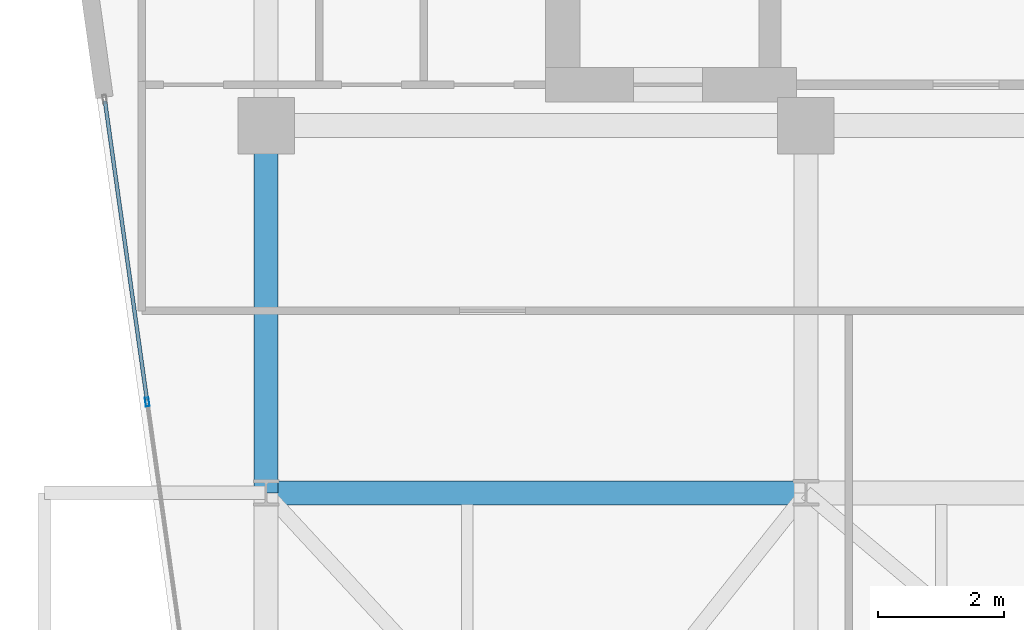
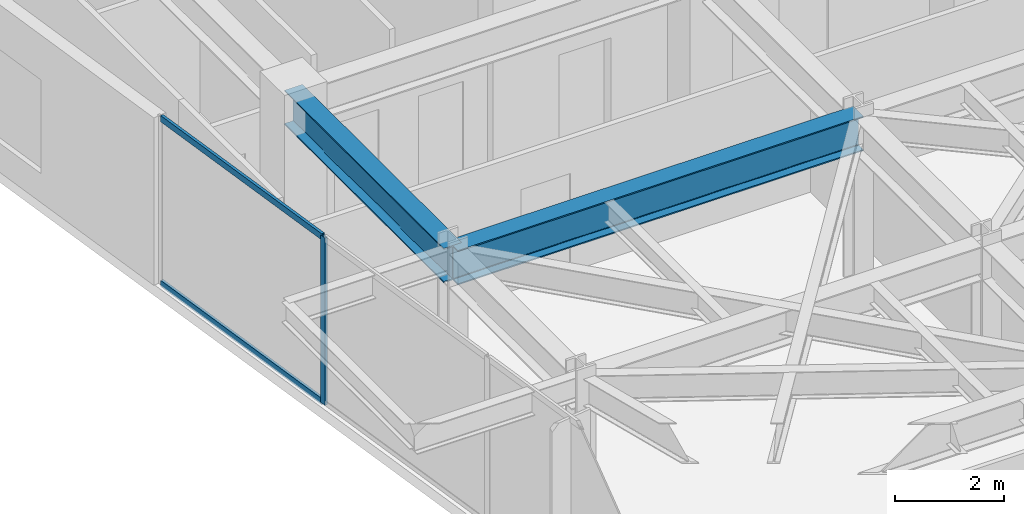
# One storey, part 10 of 26: 3 members, 2 beams, 1 element without a shape of its own.
"""IFC4 building model written with IfcOpenShell, lengths in metres."""

from ifc_helpers import new_model, si_unit, direction, frame, origin, origin_2d, place, context, subcontext, project, spatial, hollow_rectangle, i_section, extrude, material, layer, layer_set, material_profile, profile_set, type_object, element, aggregate, save


model = new_model("IFC4")

# Units and contexts
model_context = context("Model", 3, precision=1e-05, world=origin(), true_north=direction((0.0, 1.0)))
body_context = subcontext(model_context, "Body", "Model", "MODEL_VIEW")
ifc_project = project(units=[si_unit("LENGTHUNIT", "METRE"), si_unit("AREAUNIT", "SQUARE_METRE"), si_unit("VOLUMEUNIT", "CUBIC_METRE"), si_unit("PLANEANGLEUNIT", "RADIAN"), si_unit("MASSUNIT", "GRAM", prefix="KILO")], contexts=[model_context])

# Site, building, storey
site_placement = place(None, origin())
site = spatial("IfcSite", under=ifc_project, at=site_placement, CompositionType="ELEMENT")
building_placement = place(site_placement, origin())
building = spatial("IfcBuilding", under=site, at=building_placement, Name="Kravanh Interchange Tower", CompositionType="ELEMENT")
storey_placement = place(building_placement, frame((0.0, 0.0, 172.5)))
storey = spatial("IfcBuildingStorey", under=building, at=storey_placement, Name="L41", CompositionType="ELEMENT", Elevation=172.5)

# Curtain wall, members
ifc_material_1 = material(Name="Anodised Bronze Aluminium", Category="aluminium")
ifc_layer = layer(ifc_material_1, 0.179931640625)
ifc_layer_set = layer_set([ifc_layer], Name="Unitised Curtain Wall System CW-Z3 Upper Office")
curtain_wall_type = type_object("IfcCurtainWallType", Name="Unitised Curtain Wall System CW-Z3 Upper Office", PredefinedType="NOTDEFINED", material=ifc_layer_set)
curtain_wall_placement = place(storey_placement, origin())
curtain_wall = element("IfcCurtainWall", 1, at=curtain_wall_placement, inside=storey, type_object=curtain_wall_type, Name="L41 Unitised Curtain Wall CW-L41-01", PredefinedType="NOTDEFINED")
ifc_material_2 = material(Name="Anodised Bronze Aluminium", Category="aluminium")
ifc_material_profile_1 = material_profile(ifc_material_2, hollow_rectangle(XDim=0.06005859375, YDim=0.139892578125, WallThickness=0.00390625, at=origin_2d()), Name="ALU60X140X4")
ifc_profile_set_1 = profile_set([ifc_material_profile_1], Name="Anodised Bronze Aluminium")
member_type_1 = type_object("IfcMemberType", Name="Curtain Wall Mullion ALU60X140X4 Bronze", PredefinedType="MULLION", material=ifc_profile_set_1)
member_1_placement = place(storey_placement, frame((16.706787109375, 32.9482421875, 0.0), z_axis=(0.0, 0.0, 1.0), x_axis=(-0.990268194035, -0.139172209446, 0.0)))
member_1 = element("IfcMember", 2, at=member_1_placement, type_object=member_type_1, Name="CW-Z3 mullion 5", PredefinedType="MULLION", context=body_context, shape_type="SweptSolid", body=[
    extrude(hollow_rectangle(XDim=0.06005859375, YDim=0.139892578125, WallThickness=0.00390625, at=origin_2d()), origin(), (0.0, 0.0, 1.0), 3.7548828125),
])
ifc_material_3 = material(Name="Anodised Bronze Aluminium", Category="aluminium")
ifc_material_profile_2 = material_profile(ifc_material_3, hollow_rectangle(XDim=0.06005859375, YDim=0.139892578125, WallThickness=0.00390625, at=origin_2d()), Name="ALU60X140X4")
ifc_profile_set_2 = profile_set([ifc_material_profile_2], Name="Anodised Bronze Aluminium")
member_type_2 = type_object("IfcMemberType", Name="Curtain Wall Transom ALU60X140X4 Bronze", PredefinedType="USERDEFINED", material=ifc_profile_set_2)
member_2_placement = place(storey_placement, frame((16.70263671875, 32.977783203125, 0.030029296875), z_axis=(-0.139139718803, 0.990272759724, 0.0), x_axis=(-0.990272759724, -0.139139718803, 0.0)))
member_2 = element("IfcMember", 3, at=member_2_placement, type_object=member_type_2, Name="CW-Z3 transom 5.1", ObjectType="TRANSOM", PredefinedType="USERDEFINED", context=body_context, shape_type="SweptSolid", body=[
    extrude(hollow_rectangle(XDim=0.06005859375, YDim=0.139892578125, WallThickness=0.00390625, at=origin_2d()), origin(), (0.0, 0.0, 1.0), 4.8095703125),
])
member_3_placement = place(storey_placement, frame((16.70263671875, 32.977783203125, 3.72509765625), z_axis=(-0.139139718803, 0.990272759724, 0.0), x_axis=(-0.990272759724, -0.139139718803, 0.0)))
member_3 = element("IfcMember", 4, at=member_3_placement, type_object=member_type_2, Name="CW-Z3 transom 5.2", ObjectType="TRANSOM", PredefinedType="USERDEFINED", context=body_context, shape_type="SweptSolid", body=[
    extrude(hollow_rectangle(XDim=0.06005859375, YDim=0.139892578125, WallThickness=0.00390625, at=origin_2d()), origin(), (0.0, 0.0, 1.0), 4.8095703125),
])
aggregate(curtain_wall, [member_1, member_2, member_3])

# Beams
ifc_material_4 = material(Name="Structural Steel S355", Category="steel")
ifc_material_profile_3 = material_profile(ifc_material_4, i_section(OverallWidth=0.381103515625, OverallDepth=0.77294921875, WebThickness=0.0166015625, FlangeThickness=0.027099609375, FilletRadius=0.02490234375, at=origin_2d()), Name="W30X173")
ifc_profile_set_3 = profile_set([ifc_material_profile_3], Name="Structural Steel S355")
beam_type = type_object("IfcBeamType", Name="Floor Beam W30X173 Structural Steel S355", PredefinedType="BEAM", material=ifc_profile_set_3)
beam_1_placement = place(storey_placement, frame((18.60009765625, 37.35009765625, 3.368408203125), z_axis=(0.0, -1.0, 0.0), x_axis=(1.0, 0.0, 0.0)))
element("IfcBeam", 5, at=beam_1_placement, inside=storey, type_object=beam_type, Name="L41 Primary Floor Girder 28", PredefinedType="BEAM", context=body_context, shape_type="SweptSolid", body=[
    extrude(i_section(OverallWidth=0.381103515625, OverallDepth=0.77294921875, WebThickness=0.0166015625, FlangeThickness=0.027099609375, FilletRadius=0.02490234375, at=origin_2d()), origin(), (0.0, 0.0, 1.0), 5.85009765625),
])
beam_2_placement = place(storey_placement, frame((18.60009765625, 31.5, 3.368408203125), z_axis=(1.0, 0.0, 0.0), x_axis=(0.0, 1.0, 0.0)))
element("IfcBeam", 6, at=beam_2_placement, inside=storey, type_object=beam_type, Name="L41 Primary Floor Girder 61", PredefinedType="BEAM", context=body_context, shape_type="SweptSolid", body=[
    extrude(i_section(OverallWidth=0.381103515625, OverallDepth=0.77294921875, WebThickness=0.0166015625, FlangeThickness=0.027099609375, FilletRadius=0.02490234375, at=origin_2d()), origin(), (0.0, 0.0, 1.0), 8.599853515625),
])

save(model, "model.ifc")
